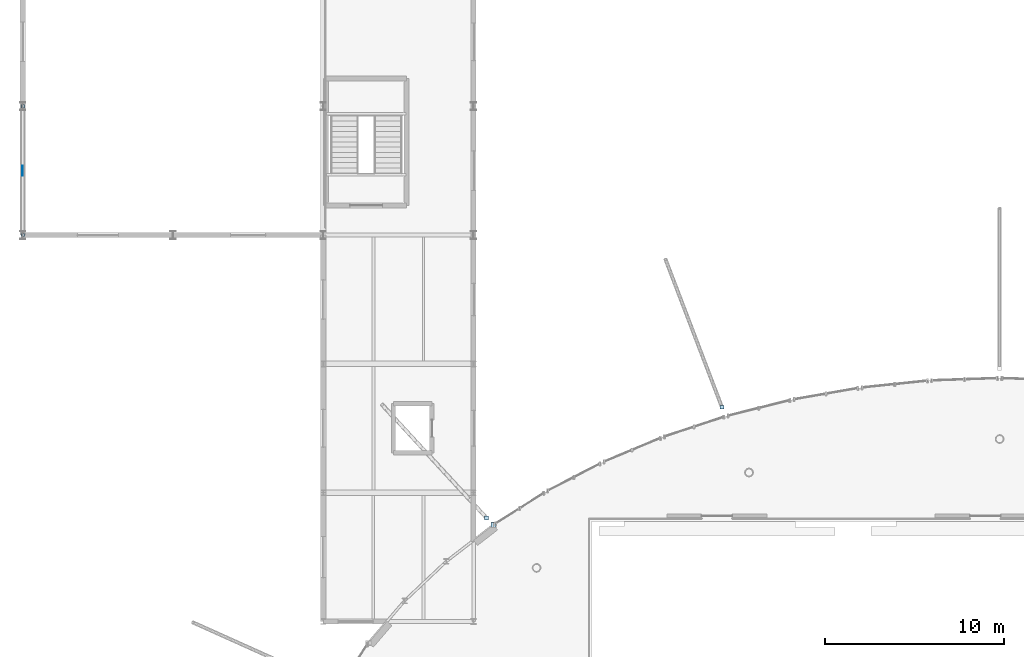
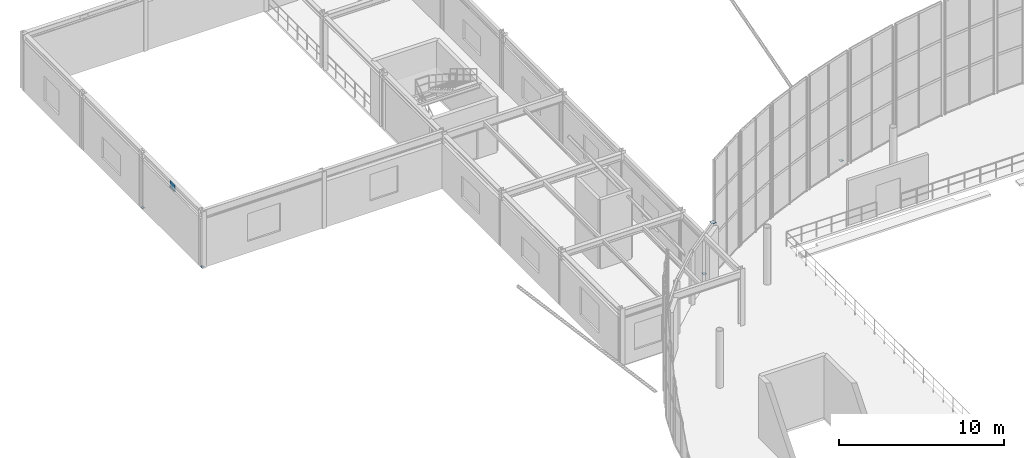
# One storey, part 56 of 109: 6 plates.
"""IFC4 building model written with IfcOpenShell, lengths in metres."""

from ifc_helpers import new_model, si_unit, derived_unit, direction, frame, origin, origin_2d, place, context, subcontext, project, spatial, rectangle, extrude, material, layer, layer_set, type_object, element, save


model = new_model("IFC4")

# Units and contexts
model_context = context("Model", 3, precision=1e-05, world=origin(), true_north=direction((0.0, 1.0)))
body_context = subcontext(model_context, "Body", "Model", "MODEL_VIEW")
ifc_project = project(units=[si_unit("LENGTHUNIT", "METRE"), si_unit("AREAUNIT", "SQUARE_METRE"), si_unit("VOLUMEUNIT", "CUBIC_METRE"), si_unit("PLANEANGLEUNIT", "RADIAN"), si_unit("MASSUNIT", "GRAM", prefix="KILO"), derived_unit("THERMALTRANSMITTANCEUNIT", [(si_unit("MASSUNIT", "GRAM", prefix="KILO"), 1), (si_unit("TIMEUNIT", "SECOND"), -3), (si_unit("THERMODYNAMICTEMPERATUREUNIT", "KELVIN"), -1)])], contexts=[model_context])

# Site, building, storey
site_placement = place(None, origin())
site = spatial("IfcSite", under=ifc_project, at=site_placement, CompositionType="ELEMENT")
building_placement = place(site_placement, origin())
building = spatial("IfcBuilding", under=site, at=building_placement, Name="Kharveza Railside Sports Centre", CompositionType="ELEMENT")
storey_placement = place(building_placement, frame((0.0, 0.0, 4.5)))
storey = spatial("IfcBuildingStorey", under=building, at=storey_placement, Name="L01", CompositionType="ELEMENT", Elevation=4.5)

# Plates
ifc_material = material(Name="Steel S355J2", Category="steel")
ifc_layer_1 = layer(ifc_material, 0.02001953125, Name="Steel S355J2")
ifc_layer_set_1 = layer_set([ifc_layer_1], Name="Steel S355J2")
plate_type_1 = type_object("IfcPlateType", Name="PL-EC04", PredefinedType="USERDEFINED", material=ifc_layer_set_1)
plate_1_placement = place(storey_placement, frame((26.315673828125, 70.198974609375, 3.869873046875), z_axis=(0.0, 0.0, 1.0), x_axis=(1.0, 0.0, 0.0)))
element("IfcPlate", 1, at=plate_1_placement, inside=storey, type_object=plate_type_1, Name="PLT-EC-013", ObjectType="END_CAP_PLATE", PredefinedType="USERDEFINED", context=body_context, shape_type="SweptSolid", body=[
    extrude(rectangle(XDim=0.300048828125, YDim=0.300048828125, at=origin_2d()), origin(), (0.0, 0.0, 1.0), 0.02001953125),
])
ifc_layer_2 = layer(ifc_material, 0.02001953125, Name="Steel S355J2")
ifc_layer_set_2 = layer_set([ifc_layer_2], Name="Steel S355J2")
plate_type_2 = type_object("IfcPlateType", Name="PL-EC08", PredefinedType="USERDEFINED", material=ifc_layer_set_2)
for number, where, z_axis, x_axis, name in (
    (2, (39.082275390625, 76.77685546875, -0.010009765625), (0.0, 0.0, 1.0), (1.0, 0.0, 0.0), "PLT-EC-073"),
    (3, (25.9267578125, 70.587890625, -0.010009765625), (0.0, 0.0, 1.0), (1.0, 0.0, 0.0), "PLT-EC-074"),
):
    element("IfcPlate", number, at=place(storey_placement, frame(where, z_axis=z_axis, x_axis=x_axis)), inside=storey, type_object=plate_type_2, Name=name, ObjectType="END_CAP_PLATE", PredefinedType="USERDEFINED", context=body_context, shape_type="SweptSolid", body=[
        extrude(rectangle(XDim=0.218994140625, YDim=0.218994140625, at=origin_2d()), origin(), (0.0, 0.0, 1.0), 0.02001953125),
    ])
ifc_layer_3 = layer(ifc_material, 0.02001953125, Name="Steel S355J2")
ifc_layer_set_3 = layer_set([ifc_layer_3], Name="Steel S355J2")
plate_type_3 = type_object("IfcPlateType", Name="PL-EC10", PredefinedType="USERDEFINED", material=ifc_layer_set_3)
for number, where, z_axis, x_axis, name in (
    (4, (0.0, 86.39990234375, -0.010009765625), (0.0, 0.0, 1.0), (1.0, 0.0, 0.0), "PLT-EC-182"),
    (5, (0.0, 93.60009765625, -0.010009765625), (0.0, 0.0, 1.0), (1.0, 0.0, 0.0), "PLT-EC-183"),
):
    element("IfcPlate", number, at=place(storey_placement, frame(where, z_axis=z_axis, x_axis=x_axis)), inside=storey, type_object=plate_type_3, Name=name, ObjectType="END_CAP_PLATE", PredefinedType="USERDEFINED", context=body_context, shape_type="SweptSolid", body=[
        extrude(rectangle(XDim=0.179931640625, YDim=0.179931640625, at=origin_2d()), origin(), (0.0, 0.0, 1.0), 0.02001953125),
    ])
ifc_layer_4 = layer(ifc_material, 0.028076171875, Name="Steel S355J2")
ifc_layer_set_4 = layer_set([ifc_layer_4], Name="Steel S355J2")
plate_type_4 = type_object("IfcPlateType", Name="PL-GS05", PredefinedType="USERDEFINED", material=ifc_layer_set_4)
plate_2_placement = place(storey_placement, frame((0.0, 90.0, 3.469970703125), z_axis=(0.0, 0.0, 1.0), x_axis=(1.0, 0.0, 0.0)))
element("IfcPlate", 6, at=plate_2_placement, inside=storey, type_object=plate_type_4, Name="PLT-GS-CHEVN-024", ObjectType="GUSSET_PLATE", PredefinedType="USERDEFINED", context=body_context, shape_type="SweptSolid", body=[
    extrude(rectangle(XDim=0.028076171875, YDim=0.56005859375, at=origin_2d()), origin(), (0.0, 0.0, 1.0), 0.56005859375),
])

save(model, "model.ifc")
